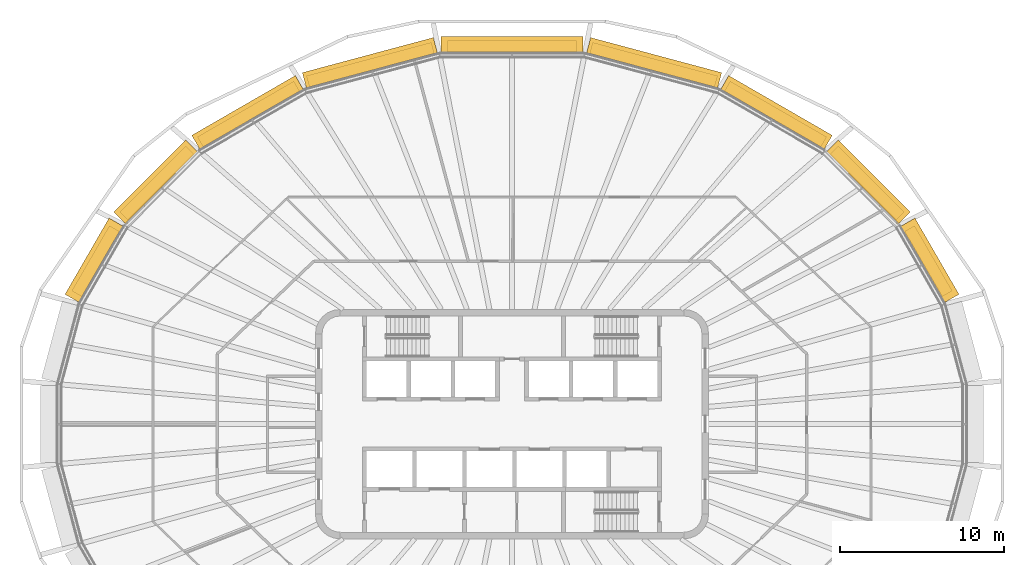
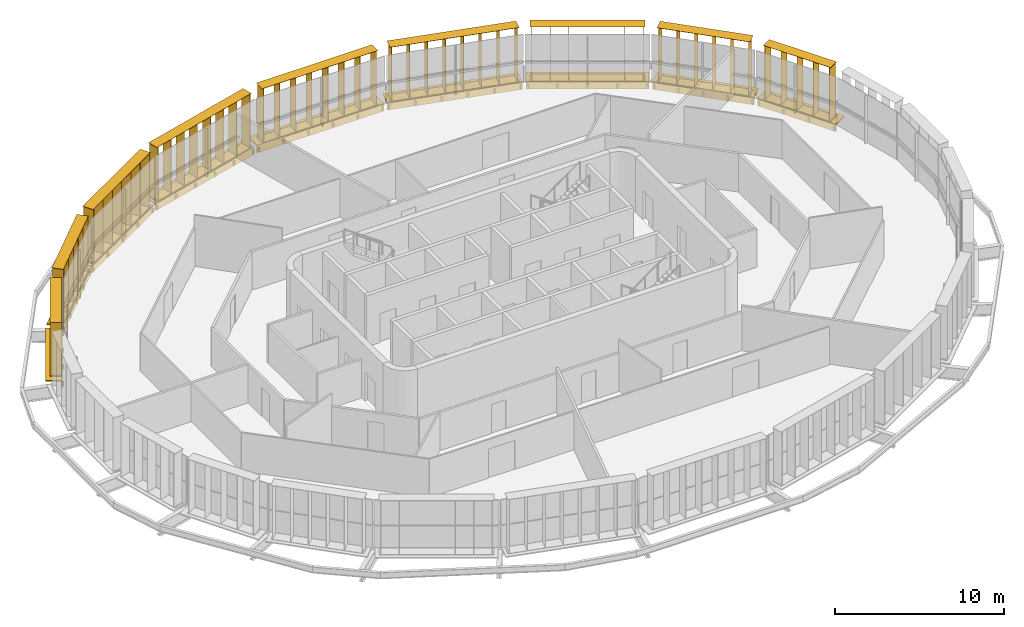
# One storey, part 18 of 18: 18 shading devices.
"""IFC4 building model written with IfcOpenShell, lengths in metres."""

from ifc_helpers import new_model, si_unit, direction, frame, origin, origin_2d, place, context, subcontext, project, spatial, rectangle, extrude, material, type_object, element, save


model = new_model("IFC4")

# Units and contexts
model_context = context("Model", 3, precision=1e-05, world=origin(), true_north=direction((0.0, 1.0)))
body_context = subcontext(model_context, "Body", "Model", "MODEL_VIEW")
ifc_project = project(units=[si_unit("LENGTHUNIT", "METRE"), si_unit("AREAUNIT", "SQUARE_METRE"), si_unit("VOLUMEUNIT", "CUBIC_METRE"), si_unit("PLANEANGLEUNIT", "RADIAN"), si_unit("MASSUNIT", "GRAM", prefix="KILO")], contexts=[model_context])

# Site, building, storey
site_placement = place(None, origin())
site = spatial("IfcSite", under=ifc_project, at=site_placement, CompositionType="ELEMENT")
building_placement = place(site_placement, origin())
building = spatial("IfcBuilding", under=site, at=building_placement, Name="Sahrelin Media Tower", CompositionType="ELEMENT")
storey_placement = place(building_placement, frame((0.0, 0.0, 295.0)))
storey = spatial("IfcBuildingStorey", under=building, at=storey_placement, Name="L65", CompositionType="ELEMENT", Elevation=295.0)

# Shading devices
ifc_material = material(Name="Champagne anodised aluminium 6063-T6", Category="aluminium")
shading_device_type_1 = type_object("IfcShadingDeviceType", Name="Fin cassette", PredefinedType="USERDEFINED", material=ifc_material)
placement_1 = place(storey_placement, frame((25.0546875, 9.74169921875, 0.0), z_axis=(0.0, 0.0, 1.0), x_axis=(0.500011000363, -0.866019052629, 0.0)))
element("IfcShadingDevice", 1, at=placement_1, inside=storey, type_object=shading_device_type_1, Name="L65:FIN:L65-02", ObjectType="FIN", PredefinedType="USERDEFINED", context=body_context, shape_type="SweptSolid", body=[
    extrude(rectangle(XDim=4.60009765625, YDim=0.699951171875, at=origin_2d()), frame((0.0, 0.419921875, 0.0)), (0.0, 0.0, 1.0), 0.02001953125),
    extrude(rectangle(XDim=4.60009765625, YDim=0.699951171875, at=origin_2d()), frame((0.0, 0.419921875, 3.89990234375)), (0.0, 0.0, 1.0), 0.02001953125),
    extrude(rectangle(XDim=0.02001953125, YDim=0.699951171875, at=origin_2d()), frame((-2.199951171875, 0.419921875, 0.010009765625), z_axis=(0.0, 0.0, 1.0), x_axis=(1.0, 0.0, 0.0)), (0.0, 0.0, 1.0), 3.89990234375),
    extrude(rectangle(XDim=0.02001953125, YDim=0.699951171875, at=origin_2d()), frame((-1.10009765625, 0.419921875, 0.010009765625), z_axis=(0.0, 0.0, 1.0), x_axis=(1.0, 0.0, 0.0)), (0.0, 0.0, 1.0), 3.89990234375),
    extrude(rectangle(XDim=0.02001953125, YDim=0.699951171875, at=origin_2d()), frame((0.0, 0.419921875, 0.010009765625), z_axis=(0.0, 0.0, 1.0), x_axis=(1.0, 0.0, 0.0)), (0.0, 0.0, 1.0), 3.89990234375),
    extrude(rectangle(XDim=0.02001953125, YDim=0.699951171875, at=origin_2d()), frame((1.10009765625, 0.419921875, 0.010009765625), z_axis=(0.0, 0.0, 1.0), x_axis=(1.0, 0.0, 0.0)), (0.0, 0.0, 1.0), 3.89990234375),
    extrude(rectangle(XDim=0.02001953125, YDim=0.699951171875, at=origin_2d()), frame((2.199951171875, 0.419921875, 0.010009765625), z_axis=(0.0, 0.0, 1.0), x_axis=(1.0, 0.0, 0.0)), (0.0, 0.0, 1.0), 3.89990234375),
])
placement_2 = place(storey_placement, frame((21.392333984375, 14.423828125, 0.0), z_axis=(0.0, 0.0, 1.0), x_axis=(0.707106781187, -0.707106781187, 0.0)))
element("IfcShadingDevice", 2, at=placement_2, inside=storey, type_object=shading_device_type_1, Name="L65:FIN:L65-03", ObjectType="FIN", PredefinedType="USERDEFINED", context=body_context, shape_type="SweptSolid", body=[
    extrude(rectangle(XDim=5.699951171875, YDim=0.699951171875, at=origin_2d()), frame((0.0, 0.419921875, 0.0)), (0.0, 0.0, 1.0), 0.02001953125),
    extrude(rectangle(XDim=5.699951171875, YDim=0.699951171875, at=origin_2d()), frame((0.0, 0.419921875, 3.89990234375)), (0.0, 0.0, 1.0), 0.02001953125),
    extrude(rectangle(XDim=0.02001953125, YDim=0.699951171875, at=origin_2d()), frame((-2.75, 0.419921875, 0.010009765625), z_axis=(0.0, 0.0, 1.0), x_axis=(1.0, 0.0, 0.0)), (0.0, 0.0, 1.0), 3.89990234375),
    extrude(rectangle(XDim=0.02001953125, YDim=0.699951171875, at=origin_2d()), frame((-1.64990234375, 0.419921875, 0.010009765625), z_axis=(0.0, 0.0, 1.0), x_axis=(1.0, 0.0, 0.0)), (0.0, 0.0, 1.0), 3.89990234375),
    extrude(rectangle(XDim=0.02001953125, YDim=0.699951171875, at=origin_2d()), frame((-0.550048828125, 0.419921875, 0.010009765625), z_axis=(0.0, 0.0, 1.0), x_axis=(1.0, 0.0, 0.0)), (0.0, 0.0, 1.0), 3.89990234375),
    extrude(rectangle(XDim=0.02001953125, YDim=0.699951171875, at=origin_2d()), frame((0.550048828125, 0.419921875, 0.010009765625), z_axis=(0.0, 0.0, 1.0), x_axis=(1.0, 0.0, 0.0)), (0.0, 0.0, 1.0), 3.89990234375),
    extrude(rectangle(XDim=0.02001953125, YDim=0.699951171875, at=origin_2d()), frame((1.64990234375, 0.419921875, 0.010009765625), z_axis=(0.0, 0.0, 1.0), x_axis=(1.0, 0.0, 0.0)), (0.0, 0.0, 1.0), 3.89990234375),
    extrude(rectangle(XDim=0.02001953125, YDim=0.699951171875, at=origin_2d()), frame((2.75, 0.419921875, 0.010009765625), z_axis=(0.0, 0.0, 1.0), x_axis=(1.0, 0.0, 0.0)), (0.0, 0.0, 1.0), 3.89990234375),
])
placement_3 = place(storey_placement, frame((15.87646484375, 18.567626953125, 0.0), z_axis=(0.0, 0.0, 1.0), x_axis=(0.866019052629, -0.500011000363, 0.0)))
element("IfcShadingDevice", 3, at=placement_3, inside=storey, type_object=shading_device_type_1, Name="L65:FIN:L65-04", ObjectType="FIN", PredefinedType="USERDEFINED", context=body_context, shape_type="SweptSolid", body=[
    extrude(rectangle(XDim=6.800048828125, YDim=0.699951171875, at=origin_2d()), frame((0.0, 0.419921875, 0.0)), (0.0, 0.0, 1.0), 0.02001953125),
    extrude(rectangle(XDim=6.800048828125, YDim=0.699951171875, at=origin_2d()), frame((0.0, 0.419921875, 3.89990234375)), (0.0, 0.0, 1.0), 0.02001953125),
    extrude(rectangle(XDim=0.02001953125, YDim=0.699951171875, at=origin_2d()), frame((-3.300048828125, 0.419921875, 0.010009765625), z_axis=(0.0, 0.0, 1.0), x_axis=(1.0, 0.0, 0.0)), (0.0, 0.0, 1.0), 3.89990234375),
    extrude(rectangle(XDim=0.02001953125, YDim=0.699951171875, at=origin_2d()), frame((-2.199951171875, 0.419921875, 0.010009765625), z_axis=(0.0, 0.0, 1.0), x_axis=(1.0, 0.0, 0.0)), (0.0, 0.0, 1.0), 3.89990234375),
    extrude(rectangle(XDim=0.02001953125, YDim=0.699951171875, at=origin_2d()), frame((-1.10009765625, 0.419921875, 0.010009765625), z_axis=(0.0, 0.0, 1.0), x_axis=(1.0, 0.0, 0.0)), (0.0, 0.0, 1.0), 3.89990234375),
    extrude(rectangle(XDim=0.02001953125, YDim=0.699951171875, at=origin_2d()), frame((0.0, 0.419921875, 0.010009765625), z_axis=(0.0, 0.0, 1.0), x_axis=(1.0, 0.0, 0.0)), (0.0, 0.0, 1.0), 3.89990234375),
    extrude(rectangle(XDim=0.02001953125, YDim=0.699951171875, at=origin_2d()), frame((1.10009765625, 0.419921875, 0.010009765625), z_axis=(0.0, 0.0, 1.0), x_axis=(1.0, 0.0, 0.0)), (0.0, 0.0, 1.0), 3.89990234375),
    extrude(rectangle(XDim=0.02001953125, YDim=0.699951171875, at=origin_2d()), frame((2.199951171875, 0.419921875, 0.010009765625), z_axis=(0.0, 0.0, 1.0), x_axis=(1.0, 0.0, 0.0)), (0.0, 0.0, 1.0), 3.89990234375),
    extrude(rectangle(XDim=0.02001953125, YDim=0.699951171875, at=origin_2d()), frame((3.300048828125, 0.419921875, 0.010009765625), z_axis=(0.0, 0.0, 1.0), x_axis=(1.0, 0.0, 0.0)), (0.0, 0.0, 1.0), 3.89990234375),
])
placement_4 = place(storey_placement, frame((8.536865234375, 21.53857421875, 0.0), z_axis=(0.0, 0.0, 1.0), x_axis=(0.965928857556, -0.258807731996, 0.0)))
element("IfcShadingDevice", 4, at=placement_4, inside=storey, type_object=shading_device_type_1, Name="L65:FIN:L65-05", ObjectType="FIN", PredefinedType="USERDEFINED", context=body_context, shape_type="SweptSolid", body=[
    extrude(rectangle(XDim=7.89990234375, YDim=0.699951171875, at=origin_2d()), frame((0.0, 0.419921875, 0.0)), (0.0, 0.0, 1.0), 0.02001953125),
    extrude(rectangle(XDim=7.89990234375, YDim=0.699951171875, at=origin_2d()), frame((0.0, 0.419921875, 3.89990234375)), (0.0, 0.0, 1.0), 0.02001953125),
    extrude(rectangle(XDim=0.02001953125, YDim=0.699951171875, at=origin_2d()), frame((-3.85009765625, 0.419921875, 0.010009765625), z_axis=(0.0, 0.0, 1.0), x_axis=(1.0, 0.0, 0.0)), (0.0, 0.0, 1.0), 3.89990234375),
    extrude(rectangle(XDim=0.02001953125, YDim=0.699951171875, at=origin_2d()), frame((-2.75, 0.419921875, 0.010009765625), z_axis=(0.0, 0.0, 1.0), x_axis=(1.0, 0.0, 0.0)), (0.0, 0.0, 1.0), 3.89990234375),
    extrude(rectangle(XDim=0.02001953125, YDim=0.699951171875, at=origin_2d()), frame((-1.64990234375, 0.419921875, 0.010009765625), z_axis=(0.0, 0.0, 1.0), x_axis=(1.0, 0.0, 0.0)), (0.0, 0.0, 1.0), 3.89990234375),
    extrude(rectangle(XDim=0.02001953125, YDim=0.699951171875, at=origin_2d()), frame((-0.550048828125, 0.419921875, 0.010009765625), z_axis=(0.0, 0.0, 1.0), x_axis=(1.0, 0.0, 0.0)), (0.0, 0.0, 1.0), 3.89990234375),
    extrude(rectangle(XDim=0.02001953125, YDim=0.699951171875, at=origin_2d()), frame((0.550048828125, 0.419921875, 0.010009765625), z_axis=(0.0, 0.0, 1.0), x_axis=(1.0, 0.0, 0.0)), (0.0, 0.0, 1.0), 3.89990234375),
    extrude(rectangle(XDim=0.02001953125, YDim=0.699951171875, at=origin_2d()), frame((1.64990234375, 0.419921875, 0.010009765625), z_axis=(0.0, 0.0, 1.0), x_axis=(1.0, 0.0, 0.0)), (0.0, 0.0, 1.0), 3.89990234375),
    extrude(rectangle(XDim=0.02001953125, YDim=0.699951171875, at=origin_2d()), frame((2.75, 0.419921875, 0.010009765625), z_axis=(0.0, 0.0, 1.0), x_axis=(1.0, 0.0, 0.0)), (0.0, 0.0, 1.0), 3.89990234375),
    extrude(rectangle(XDim=0.02001953125, YDim=0.699951171875, at=origin_2d()), frame((3.85009765625, 0.419921875, 0.010009765625), z_axis=(0.0, 0.0, 1.0), x_axis=(1.0, 0.0, 0.0)), (0.0, 0.0, 1.0), 3.89990234375),
])
placement_5 = place(storey_placement, frame((0.0, 22.635498046875, 0.0), z_axis=(0.0, 0.0, 1.0), x_axis=(1.0, 0.0, 0.0)))
element("IfcShadingDevice", 5, at=placement_5, inside=storey, type_object=shading_device_type_1, Name="L65:FIN:L65-06", ObjectType="FIN", PredefinedType="USERDEFINED", context=body_context, shape_type="SweptSolid", body=[
    extrude(rectangle(XDim=7.89990234375, YDim=0.699951171875, at=origin_2d()), frame((0.0, 0.419921875, 0.0)), (0.0, 0.0, 1.0), 0.02001953125),
    extrude(rectangle(XDim=7.89990234375, YDim=0.699951171875, at=origin_2d()), frame((0.0, 0.419921875, 3.89990234375)), (0.0, 0.0, 1.0), 0.02001953125),
    extrude(rectangle(XDim=0.02001953125, YDim=0.699951171875, at=origin_2d()), frame((-3.85009765625, 0.419921875, 0.010009765625), z_axis=(0.0, 0.0, 1.0), x_axis=(1.0, 0.0, 0.0)), (0.0, 0.0, 1.0), 3.89990234375),
    extrude(rectangle(XDim=0.02001953125, YDim=0.699951171875, at=origin_2d()), frame((-2.75, 0.419921875, 0.010009765625), z_axis=(0.0, 0.0, 1.0), x_axis=(1.0, 0.0, 0.0)), (0.0, 0.0, 1.0), 3.89990234375),
    extrude(rectangle(XDim=0.02001953125, YDim=0.699951171875, at=origin_2d()), frame((-1.64990234375, 0.419921875, 0.010009765625), z_axis=(0.0, 0.0, 1.0), x_axis=(1.0, 0.0, 0.0)), (0.0, 0.0, 1.0), 3.89990234375),
    extrude(rectangle(XDim=0.02001953125, YDim=0.699951171875, at=origin_2d()), frame((-0.550048828125, 0.419921875, 0.010009765625), z_axis=(0.0, 0.0, 1.0), x_axis=(1.0, 0.0, 0.0)), (0.0, 0.0, 1.0), 3.89990234375),
    extrude(rectangle(XDim=0.02001953125, YDim=0.699951171875, at=origin_2d()), frame((0.550048828125, 0.419921875, 0.010009765625), z_axis=(0.0, 0.0, 1.0), x_axis=(1.0, 0.0, 0.0)), (0.0, 0.0, 1.0), 3.89990234375),
    extrude(rectangle(XDim=0.02001953125, YDim=0.699951171875, at=origin_2d()), frame((1.64990234375, 0.419921875, 0.010009765625), z_axis=(0.0, 0.0, 1.0), x_axis=(1.0, 0.0, 0.0)), (0.0, 0.0, 1.0), 3.89990234375),
    extrude(rectangle(XDim=0.02001953125, YDim=0.699951171875, at=origin_2d()), frame((2.75, 0.419921875, 0.010009765625), z_axis=(0.0, 0.0, 1.0), x_axis=(1.0, 0.0, 0.0)), (0.0, 0.0, 1.0), 3.89990234375),
    extrude(rectangle(XDim=0.02001953125, YDim=0.699951171875, at=origin_2d()), frame((3.85009765625, 0.419921875, 0.010009765625), z_axis=(0.0, 0.0, 1.0), x_axis=(1.0, 0.0, 0.0)), (0.0, 0.0, 1.0), 3.89990234375),
])
placement_6 = place(storey_placement, frame((-8.536865234375, 21.53857421875, 0.0), z_axis=(0.0, 0.0, 1.0), x_axis=(0.965928857556, 0.258807731996, 0.0)))
element("IfcShadingDevice", 6, at=placement_6, inside=storey, type_object=shading_device_type_1, Name="L65:FIN:L65-07", ObjectType="FIN", PredefinedType="USERDEFINED", context=body_context, shape_type="SweptSolid", body=[
    extrude(rectangle(XDim=7.89990234375, YDim=0.699951171875, at=origin_2d()), frame((0.0, 0.419921875, 0.0)), (0.0, 0.0, 1.0), 0.02001953125),
    extrude(rectangle(XDim=7.89990234375, YDim=0.699951171875, at=origin_2d()), frame((0.0, 0.419921875, 3.89990234375)), (0.0, 0.0, 1.0), 0.02001953125),
    extrude(rectangle(XDim=0.02001953125, YDim=0.699951171875, at=origin_2d()), frame((-3.85009765625, 0.419921875, 0.010009765625), z_axis=(0.0, 0.0, 1.0), x_axis=(1.0, 0.0, 0.0)), (0.0, 0.0, 1.0), 3.89990234375),
    extrude(rectangle(XDim=0.02001953125, YDim=0.699951171875, at=origin_2d()), frame((-2.75, 0.419921875, 0.010009765625), z_axis=(0.0, 0.0, 1.0), x_axis=(1.0, 0.0, 0.0)), (0.0, 0.0, 1.0), 3.89990234375),
    extrude(rectangle(XDim=0.02001953125, YDim=0.699951171875, at=origin_2d()), frame((-1.64990234375, 0.419921875, 0.010009765625), z_axis=(0.0, 0.0, 1.0), x_axis=(1.0, 0.0, 0.0)), (0.0, 0.0, 1.0), 3.89990234375),
    extrude(rectangle(XDim=0.02001953125, YDim=0.699951171875, at=origin_2d()), frame((-0.550048828125, 0.419921875, 0.010009765625), z_axis=(0.0, 0.0, 1.0), x_axis=(1.0, 0.0, 0.0)), (0.0, 0.0, 1.0), 3.89990234375),
    extrude(rectangle(XDim=0.02001953125, YDim=0.699951171875, at=origin_2d()), frame((0.550048828125, 0.419921875, 0.010009765625), z_axis=(0.0, 0.0, 1.0), x_axis=(1.0, 0.0, 0.0)), (0.0, 0.0, 1.0), 3.89990234375),
    extrude(rectangle(XDim=0.02001953125, YDim=0.699951171875, at=origin_2d()), frame((1.64990234375, 0.419921875, 0.010009765625), z_axis=(0.0, 0.0, 1.0), x_axis=(1.0, 0.0, 0.0)), (0.0, 0.0, 1.0), 3.89990234375),
    extrude(rectangle(XDim=0.02001953125, YDim=0.699951171875, at=origin_2d()), frame((2.75, 0.419921875, 0.010009765625), z_axis=(0.0, 0.0, 1.0), x_axis=(1.0, 0.0, 0.0)), (0.0, 0.0, 1.0), 3.89990234375),
    extrude(rectangle(XDim=0.02001953125, YDim=0.699951171875, at=origin_2d()), frame((3.85009765625, 0.419921875, 0.010009765625), z_axis=(0.0, 0.0, 1.0), x_axis=(1.0, 0.0, 0.0)), (0.0, 0.0, 1.0), 3.89990234375),
])
placement_7 = place(storey_placement, frame((-15.876708984375, 18.567626953125, 0.0), z_axis=(0.0, 0.0, 1.0), x_axis=(0.866019052629, 0.500011000363, 0.0)))
element("IfcShadingDevice", 7, at=placement_7, inside=storey, type_object=shading_device_type_1, Name="L65:FIN:L65-08", ObjectType="FIN", PredefinedType="USERDEFINED", context=body_context, shape_type="SweptSolid", body=[
    extrude(rectangle(XDim=6.800048828125, YDim=0.699951171875, at=origin_2d()), frame((0.0, 0.419921875, 0.0)), (0.0, 0.0, 1.0), 0.02001953125),
    extrude(rectangle(XDim=6.800048828125, YDim=0.699951171875, at=origin_2d()), frame((0.0, 0.419921875, 3.89990234375)), (0.0, 0.0, 1.0), 0.02001953125),
    extrude(rectangle(XDim=0.02001953125, YDim=0.699951171875, at=origin_2d()), frame((-3.300048828125, 0.419921875, 0.010009765625), z_axis=(0.0, 0.0, 1.0), x_axis=(1.0, 0.0, 0.0)), (0.0, 0.0, 1.0), 3.89990234375),
    extrude(rectangle(XDim=0.02001953125, YDim=0.699951171875, at=origin_2d()), frame((-2.199951171875, 0.419921875, 0.010009765625), z_axis=(0.0, 0.0, 1.0), x_axis=(1.0, 0.0, 0.0)), (0.0, 0.0, 1.0), 3.89990234375),
    extrude(rectangle(XDim=0.02001953125, YDim=0.699951171875, at=origin_2d()), frame((-1.10009765625, 0.419921875, 0.010009765625), z_axis=(0.0, 0.0, 1.0), x_axis=(1.0, 0.0, 0.0)), (0.0, 0.0, 1.0), 3.89990234375),
    extrude(rectangle(XDim=0.02001953125, YDim=0.699951171875, at=origin_2d()), frame((0.0, 0.419921875, 0.010009765625), z_axis=(0.0, 0.0, 1.0), x_axis=(1.0, 0.0, 0.0)), (0.0, 0.0, 1.0), 3.89990234375),
    extrude(rectangle(XDim=0.02001953125, YDim=0.699951171875, at=origin_2d()), frame((1.10009765625, 0.419921875, 0.010009765625), z_axis=(0.0, 0.0, 1.0), x_axis=(1.0, 0.0, 0.0)), (0.0, 0.0, 1.0), 3.89990234375),
    extrude(rectangle(XDim=0.02001953125, YDim=0.699951171875, at=origin_2d()), frame((2.199951171875, 0.419921875, 0.010009765625), z_axis=(0.0, 0.0, 1.0), x_axis=(1.0, 0.0, 0.0)), (0.0, 0.0, 1.0), 3.89990234375),
    extrude(rectangle(XDim=0.02001953125, YDim=0.699951171875, at=origin_2d()), frame((3.300048828125, 0.419921875, 0.010009765625), z_axis=(0.0, 0.0, 1.0), x_axis=(1.0, 0.0, 0.0)), (0.0, 0.0, 1.0), 3.89990234375),
])
placement_8 = place(storey_placement, frame((-21.39208984375, 14.423828125, 0.0), z_axis=(0.0, 0.0, 1.0), x_axis=(0.707106781187, 0.707106781187, 0.0)))
element("IfcShadingDevice", 8, at=placement_8, inside=storey, type_object=shading_device_type_1, Name="L65:FIN:L65-09", ObjectType="FIN", PredefinedType="USERDEFINED", context=body_context, shape_type="SweptSolid", body=[
    extrude(rectangle(XDim=5.699951171875, YDim=0.699951171875, at=origin_2d()), frame((0.0, 0.419921875, 0.0)), (0.0, 0.0, 1.0), 0.02001953125),
    extrude(rectangle(XDim=5.699951171875, YDim=0.699951171875, at=origin_2d()), frame((0.0, 0.419921875, 3.89990234375)), (0.0, 0.0, 1.0), 0.02001953125),
    extrude(rectangle(XDim=0.02001953125, YDim=0.699951171875, at=origin_2d()), frame((-2.75, 0.419921875, 0.010009765625), z_axis=(0.0, 0.0, 1.0), x_axis=(1.0, 0.0, 0.0)), (0.0, 0.0, 1.0), 3.89990234375),
    extrude(rectangle(XDim=0.02001953125, YDim=0.699951171875, at=origin_2d()), frame((-1.64990234375, 0.419921875, 0.010009765625), z_axis=(0.0, 0.0, 1.0), x_axis=(1.0, 0.0, 0.0)), (0.0, 0.0, 1.0), 3.89990234375),
    extrude(rectangle(XDim=0.02001953125, YDim=0.699951171875, at=origin_2d()), frame((-0.550048828125, 0.419921875, 0.010009765625), z_axis=(0.0, 0.0, 1.0), x_axis=(1.0, 0.0, 0.0)), (0.0, 0.0, 1.0), 3.89990234375),
    extrude(rectangle(XDim=0.02001953125, YDim=0.699951171875, at=origin_2d()), frame((0.550048828125, 0.419921875, 0.010009765625), z_axis=(0.0, 0.0, 1.0), x_axis=(1.0, 0.0, 0.0)), (0.0, 0.0, 1.0), 3.89990234375),
    extrude(rectangle(XDim=0.02001953125, YDim=0.699951171875, at=origin_2d()), frame((1.64990234375, 0.419921875, 0.010009765625), z_axis=(0.0, 0.0, 1.0), x_axis=(1.0, 0.0, 0.0)), (0.0, 0.0, 1.0), 3.89990234375),
    extrude(rectangle(XDim=0.02001953125, YDim=0.699951171875, at=origin_2d()), frame((2.75, 0.419921875, 0.010009765625), z_axis=(0.0, 0.0, 1.0), x_axis=(1.0, 0.0, 0.0)), (0.0, 0.0, 1.0), 3.89990234375),
])
placement_9 = place(storey_placement, frame((-25.054931640625, 9.74169921875, 0.0), z_axis=(0.0, 0.0, 1.0), x_axis=(0.500011000363, 0.866019052629, 0.0)))
element("IfcShadingDevice", 9, at=placement_9, inside=storey, type_object=shading_device_type_1, Name="L65:FIN:L65-10", ObjectType="FIN", PredefinedType="USERDEFINED", context=body_context, shape_type="SweptSolid", body=[
    extrude(rectangle(XDim=4.60009765625, YDim=0.699951171875, at=origin_2d()), frame((0.0, 0.419921875, 0.0)), (0.0, 0.0, 1.0), 0.02001953125),
    extrude(rectangle(XDim=4.60009765625, YDim=0.699951171875, at=origin_2d()), frame((0.0, 0.419921875, 3.89990234375)), (0.0, 0.0, 1.0), 0.02001953125),
    extrude(rectangle(XDim=0.02001953125, YDim=0.699951171875, at=origin_2d()), frame((-2.199951171875, 0.419921875, 0.010009765625), z_axis=(0.0, 0.0, 1.0), x_axis=(1.0, 0.0, 0.0)), (0.0, 0.0, 1.0), 3.89990234375),
    extrude(rectangle(XDim=0.02001953125, YDim=0.699951171875, at=origin_2d()), frame((-1.10009765625, 0.419921875, 0.010009765625), z_axis=(0.0, 0.0, 1.0), x_axis=(1.0, 0.0, 0.0)), (0.0, 0.0, 1.0), 3.89990234375),
    extrude(rectangle(XDim=0.02001953125, YDim=0.699951171875, at=origin_2d()), frame((0.0, 0.419921875, 0.010009765625), z_axis=(0.0, 0.0, 1.0), x_axis=(1.0, 0.0, 0.0)), (0.0, 0.0, 1.0), 3.89990234375),
    extrude(rectangle(XDim=0.02001953125, YDim=0.699951171875, at=origin_2d()), frame((1.10009765625, 0.419921875, 0.010009765625), z_axis=(0.0, 0.0, 1.0), x_axis=(1.0, 0.0, 0.0)), (0.0, 0.0, 1.0), 3.89990234375),
    extrude(rectangle(XDim=0.02001953125, YDim=0.699951171875, at=origin_2d()), frame((2.199951171875, 0.419921875, 0.010009765625), z_axis=(0.0, 0.0, 1.0), x_axis=(1.0, 0.0, 0.0)), (0.0, 0.0, 1.0), 3.89990234375),
])
shading_device_type_2 = type_object("IfcShadingDeviceType", Name="Sunshade band", PredefinedType="USERDEFINED", material=ifc_material)
element("IfcShadingDevice", 10, at=placement_1, inside=storey, type_object=shading_device_type_2, Name="L65:SUN:L65-02", ObjectType="SUNSHADE", PredefinedType="USERDEFINED", context=body_context, shape_type="SweptSolid", body=[
    extrude(rectangle(XDim=5.370849609375, YDim=0.050048828125, at=origin_2d()), frame((0.0, 0.044921875, -0.55126953125)), (0.0, 0.0, 1.0), 0.471435546875),
    extrude(rectangle(XDim=5.370849609375, YDim=1.0, at=origin_2d()), frame((0.0, 0.52001953125, -0.080078125)), (0.0, 0.0, 1.0), 0.080078125),
    extrude(rectangle(XDim=0.10009765625, YDim=0.074951171875, at=origin_2d()), frame((-2.58544921875, -0.017578125, -0.47021484375)), (0.0, 0.0, 1.0), 0.300048828125),
    extrude(rectangle(XDim=0.10009765625, YDim=0.074951171875, at=origin_2d()), frame((-0.86181640625, -0.017578125, -0.47021484375)), (0.0, 0.0, 1.0), 0.300048828125),
    extrude(rectangle(XDim=0.10009765625, YDim=0.074951171875, at=origin_2d()), frame((0.86181640625, -0.017578125, -0.47021484375)), (0.0, 0.0, 1.0), 0.300048828125),
    extrude(rectangle(XDim=0.10009765625, YDim=0.074951171875, at=origin_2d()), frame((2.58544921875, -0.017578125, -0.47021484375)), (0.0, 0.0, 1.0), 0.300048828125),
])
element("IfcShadingDevice", 11, at=placement_2, inside=storey, type_object=shading_device_type_2, Name="L65:SUN:L65-03", ObjectType="SUNSHADE", PredefinedType="USERDEFINED", context=body_context, shape_type="SweptSolid", body=[
    extrude(rectangle(XDim=6.22021484375, YDim=0.050048828125, at=origin_2d()), frame((0.0, 0.044921875, -0.55126953125)), (0.0, 0.0, 1.0), 0.471435546875),
    extrude(rectangle(XDim=6.22021484375, YDim=1.0, at=origin_2d()), frame((0.0, 0.52001953125, -0.080078125)), (0.0, 0.0, 1.0), 0.080078125),
    extrude(rectangle(XDim=0.10009765625, YDim=0.074951171875, at=origin_2d()), frame((-3.010009765625, -0.017578125, -0.47021484375)), (0.0, 0.0, 1.0), 0.300048828125),
    extrude(rectangle(XDim=0.10009765625, YDim=0.074951171875, at=origin_2d()), frame((-1.5048828125, -0.017578125, -0.47021484375)), (0.0, 0.0, 1.0), 0.300048828125),
    extrude(rectangle(XDim=0.10009765625, YDim=0.074951171875, at=origin_2d()), frame((0.0, -0.017578125, -0.47021484375)), (0.0, 0.0, 1.0), 0.300048828125),
    extrude(rectangle(XDim=0.10009765625, YDim=0.074951171875, at=origin_2d()), frame((1.5048828125, -0.017578125, -0.47021484375)), (0.0, 0.0, 1.0), 0.300048828125),
    extrude(rectangle(XDim=0.10009765625, YDim=0.074951171875, at=origin_2d()), frame((3.010009765625, -0.017578125, -0.47021484375)), (0.0, 0.0, 1.0), 0.300048828125),
])
element("IfcShadingDevice", 12, at=placement_3, inside=storey, type_object=shading_device_type_2, Name="L65:SUN:L65-04", ObjectType="SUNSHADE", PredefinedType="USERDEFINED", context=body_context, shape_type="SweptSolid", body=[
    extrude(rectangle(XDim=7.2958984375, YDim=0.050048828125, at=origin_2d()), frame((0.0, 0.044921875, -0.55126953125)), (0.0, 0.0, 1.0), 0.471435546875),
    extrude(rectangle(XDim=7.2958984375, YDim=1.0, at=origin_2d()), frame((0.0, 0.52001953125, -0.080078125)), (0.0, 0.0, 1.0), 0.080078125),
    extrude(rectangle(XDim=0.10009765625, YDim=0.074951171875, at=origin_2d()), frame((-3.548095703125, -0.017578125, -0.47021484375)), (0.0, 0.0, 1.0), 0.300048828125),
    extrude(rectangle(XDim=0.10009765625, YDim=0.074951171875, at=origin_2d()), frame((-1.77392578125, -0.017578125, -0.47021484375)), (0.0, 0.0, 1.0), 0.300048828125),
    extrude(rectangle(XDim=0.10009765625, YDim=0.074951171875, at=origin_2d()), frame((0.0, -0.017578125, -0.47021484375)), (0.0, 0.0, 1.0), 0.300048828125),
    extrude(rectangle(XDim=0.10009765625, YDim=0.074951171875, at=origin_2d()), frame((1.77392578125, -0.017578125, -0.47021484375)), (0.0, 0.0, 1.0), 0.300048828125),
    extrude(rectangle(XDim=0.10009765625, YDim=0.074951171875, at=origin_2d()), frame((3.548095703125, -0.017578125, -0.47021484375)), (0.0, 0.0, 1.0), 0.300048828125),
])
element("IfcShadingDevice", 13, at=placement_4, inside=storey, type_object=shading_device_type_2, Name="L65:SUN:L65-05", ObjectType="SUNSHADE", PredefinedType="USERDEFINED", context=body_context, shape_type="SweptSolid", body=[
    extrude(rectangle(XDim=8.2763671875, YDim=0.050048828125, at=origin_2d()), frame((0.0, 0.044921875, -0.55126953125)), (0.0, 0.0, 1.0), 0.471435546875),
    extrude(rectangle(XDim=8.2763671875, YDim=1.0, at=origin_2d()), frame((0.0, 0.52001953125, -0.080078125)), (0.0, 0.0, 1.0), 0.080078125),
    extrude(rectangle(XDim=0.10009765625, YDim=0.074951171875, at=origin_2d()), frame((-4.0380859375, -0.017578125, -0.47021484375)), (0.0, 0.0, 1.0), 0.300048828125),
    extrude(rectangle(XDim=0.10009765625, YDim=0.074951171875, at=origin_2d()), frame((-2.4228515625, -0.017578125, -0.47021484375)), (0.0, 0.0, 1.0), 0.300048828125),
    extrude(rectangle(XDim=0.10009765625, YDim=0.074951171875, at=origin_2d()), frame((-0.8076171875, -0.017578125, -0.47021484375)), (0.0, 0.0, 1.0), 0.300048828125),
    extrude(rectangle(XDim=0.10009765625, YDim=0.074951171875, at=origin_2d()), frame((0.8076171875, -0.017578125, -0.47021484375)), (0.0, 0.0, 1.0), 0.300048828125),
    extrude(rectangle(XDim=0.10009765625, YDim=0.074951171875, at=origin_2d()), frame((2.4228515625, -0.017578125, -0.47021484375)), (0.0, 0.0, 1.0), 0.300048828125),
    extrude(rectangle(XDim=0.10009765625, YDim=0.074951171875, at=origin_2d()), frame((4.0380859375, -0.017578125, -0.47021484375)), (0.0, 0.0, 1.0), 0.300048828125),
])
element("IfcShadingDevice", 14, at=placement_5, inside=storey, type_object=shading_device_type_2, Name="L65:SUN:L65-06", ObjectType="SUNSHADE", PredefinedType="USERDEFINED", context=body_context, shape_type="SweptSolid", body=[
    extrude(rectangle(XDim=8.686279296875, YDim=0.050048828125, at=origin_2d()), frame((0.0, 0.044921875, -0.55126953125)), (0.0, 0.0, 1.0), 0.471435546875),
    extrude(rectangle(XDim=8.686279296875, YDim=1.0, at=origin_2d()), frame((0.0, 0.52001953125, -0.080078125)), (0.0, 0.0, 1.0), 0.080078125),
    extrude(rectangle(XDim=0.10009765625, YDim=0.074951171875, at=origin_2d()), frame((-4.2431640625, -0.017578125, -0.47021484375)), (0.0, 0.0, 1.0), 0.300048828125),
    extrude(rectangle(XDim=0.10009765625, YDim=0.074951171875, at=origin_2d()), frame((-2.5458984375, -0.017578125, -0.47021484375)), (0.0, 0.0, 1.0), 0.300048828125),
    extrude(rectangle(XDim=0.10009765625, YDim=0.074951171875, at=origin_2d()), frame((-0.8486328125, -0.017578125, -0.47021484375)), (0.0, 0.0, 1.0), 0.300048828125),
    extrude(rectangle(XDim=0.10009765625, YDim=0.074951171875, at=origin_2d()), frame((0.8486328125, -0.017578125, -0.47021484375)), (0.0, 0.0, 1.0), 0.300048828125),
    extrude(rectangle(XDim=0.10009765625, YDim=0.074951171875, at=origin_2d()), frame((2.5458984375, -0.017578125, -0.47021484375)), (0.0, 0.0, 1.0), 0.300048828125),
    extrude(rectangle(XDim=0.10009765625, YDim=0.074951171875, at=origin_2d()), frame((4.2431640625, -0.017578125, -0.47021484375)), (0.0, 0.0, 1.0), 0.300048828125),
])
element("IfcShadingDevice", 15, at=placement_6, inside=storey, type_object=shading_device_type_2, Name="L65:SUN:L65-07", ObjectType="SUNSHADE", PredefinedType="USERDEFINED", context=body_context, shape_type="SweptSolid", body=[
    extrude(rectangle(XDim=8.2763671875, YDim=0.050048828125, at=origin_2d()), frame((0.0, 0.044921875, -0.55126953125)), (0.0, 0.0, 1.0), 0.471435546875),
    extrude(rectangle(XDim=8.2763671875, YDim=1.0, at=origin_2d()), frame((0.0, 0.52001953125, -0.080078125)), (0.0, 0.0, 1.0), 0.080078125),
    extrude(rectangle(XDim=0.10009765625, YDim=0.074951171875, at=origin_2d()), frame((-4.0380859375, -0.017578125, -0.47021484375)), (0.0, 0.0, 1.0), 0.300048828125),
    extrude(rectangle(XDim=0.10009765625, YDim=0.074951171875, at=origin_2d()), frame((-2.4228515625, -0.017578125, -0.47021484375)), (0.0, 0.0, 1.0), 0.300048828125),
    extrude(rectangle(XDim=0.10009765625, YDim=0.074951171875, at=origin_2d()), frame((-0.8076171875, -0.017578125, -0.47021484375)), (0.0, 0.0, 1.0), 0.300048828125),
    extrude(rectangle(XDim=0.10009765625, YDim=0.074951171875, at=origin_2d()), frame((0.8076171875, -0.017578125, -0.47021484375)), (0.0, 0.0, 1.0), 0.300048828125),
    extrude(rectangle(XDim=0.10009765625, YDim=0.074951171875, at=origin_2d()), frame((2.4228515625, -0.017578125, -0.47021484375)), (0.0, 0.0, 1.0), 0.300048828125),
    extrude(rectangle(XDim=0.10009765625, YDim=0.074951171875, at=origin_2d()), frame((4.0380859375, -0.017578125, -0.47021484375)), (0.0, 0.0, 1.0), 0.300048828125),
])
element("IfcShadingDevice", 16, at=placement_7, inside=storey, type_object=shading_device_type_2, Name="L65:SUN:L65-08", ObjectType="SUNSHADE", PredefinedType="USERDEFINED", context=body_context, shape_type="SweptSolid", body=[
    extrude(rectangle(XDim=7.2958984375, YDim=0.050048828125, at=origin_2d()), frame((0.0, 0.044921875, -0.55126953125)), (0.0, 0.0, 1.0), 0.471435546875),
    extrude(rectangle(XDim=7.2958984375, YDim=1.0, at=origin_2d()), frame((0.0, 0.52001953125, -0.080078125)), (0.0, 0.0, 1.0), 0.080078125),
    extrude(rectangle(XDim=0.10009765625, YDim=0.074951171875, at=origin_2d()), frame((-3.548095703125, -0.017578125, -0.47021484375)), (0.0, 0.0, 1.0), 0.300048828125),
    extrude(rectangle(XDim=0.10009765625, YDim=0.074951171875, at=origin_2d()), frame((-1.77392578125, -0.017578125, -0.47021484375)), (0.0, 0.0, 1.0), 0.300048828125),
    extrude(rectangle(XDim=0.10009765625, YDim=0.074951171875, at=origin_2d()), frame((0.0, -0.017578125, -0.47021484375)), (0.0, 0.0, 1.0), 0.300048828125),
    extrude(rectangle(XDim=0.10009765625, YDim=0.074951171875, at=origin_2d()), frame((1.77392578125, -0.017578125, -0.47021484375)), (0.0, 0.0, 1.0), 0.300048828125),
    extrude(rectangle(XDim=0.10009765625, YDim=0.074951171875, at=origin_2d()), frame((3.548095703125, -0.017578125, -0.47021484375)), (0.0, 0.0, 1.0), 0.300048828125),
])
element("IfcShadingDevice", 17, at=placement_8, inside=storey, type_object=shading_device_type_2, Name="L65:SUN:L65-09", ObjectType="SUNSHADE", PredefinedType="USERDEFINED", context=body_context, shape_type="SweptSolid", body=[
    extrude(rectangle(XDim=6.22021484375, YDim=0.050048828125, at=origin_2d()), frame((0.0, 0.044921875, -0.55126953125)), (0.0, 0.0, 1.0), 0.471435546875),
    extrude(rectangle(XDim=6.22021484375, YDim=1.0, at=origin_2d()), frame((0.0, 0.52001953125, -0.080078125)), (0.0, 0.0, 1.0), 0.080078125),
    extrude(rectangle(XDim=0.10009765625, YDim=0.074951171875, at=origin_2d()), frame((-3.010009765625, -0.017578125, -0.47021484375)), (0.0, 0.0, 1.0), 0.300048828125),
    extrude(rectangle(XDim=0.10009765625, YDim=0.074951171875, at=origin_2d()), frame((-1.5048828125, -0.017578125, -0.47021484375)), (0.0, 0.0, 1.0), 0.300048828125),
    extrude(rectangle(XDim=0.10009765625, YDim=0.074951171875, at=origin_2d()), frame((0.0, -0.017578125, -0.47021484375)), (0.0, 0.0, 1.0), 0.300048828125),
    extrude(rectangle(XDim=0.10009765625, YDim=0.074951171875, at=origin_2d()), frame((1.5048828125, -0.017578125, -0.47021484375)), (0.0, 0.0, 1.0), 0.300048828125),
    extrude(rectangle(XDim=0.10009765625, YDim=0.074951171875, at=origin_2d()), frame((3.010009765625, -0.017578125, -0.47021484375)), (0.0, 0.0, 1.0), 0.300048828125),
])
element("IfcShadingDevice", 18, at=placement_9, inside=storey, type_object=shading_device_type_2, Name="L65:SUN:L65-10", ObjectType="SUNSHADE", PredefinedType="USERDEFINED", context=body_context, shape_type="SweptSolid", body=[
    extrude(rectangle(XDim=5.370849609375, YDim=0.050048828125, at=origin_2d()), frame((0.0, 0.044921875, -0.55126953125)), (0.0, 0.0, 1.0), 0.471435546875),
    extrude(rectangle(XDim=5.370849609375, YDim=1.0, at=origin_2d()), frame((0.0, 0.52001953125, -0.080078125)), (0.0, 0.0, 1.0), 0.080078125),
    extrude(rectangle(XDim=0.10009765625, YDim=0.074951171875, at=origin_2d()), frame((-2.58544921875, -0.017578125, -0.47021484375)), (0.0, 0.0, 1.0), 0.300048828125),
    extrude(rectangle(XDim=0.10009765625, YDim=0.074951171875, at=origin_2d()), frame((-0.86181640625, -0.017578125, -0.47021484375)), (0.0, 0.0, 1.0), 0.300048828125),
    extrude(rectangle(XDim=0.10009765625, YDim=0.074951171875, at=origin_2d()), frame((0.86181640625, -0.017578125, -0.47021484375)), (0.0, 0.0, 1.0), 0.300048828125),
    extrude(rectangle(XDim=0.10009765625, YDim=0.074951171875, at=origin_2d()), frame((2.58544921875, -0.017578125, -0.47021484375)), (0.0, 0.0, 1.0), 0.300048828125),
])

save(model, "model.ifc")
